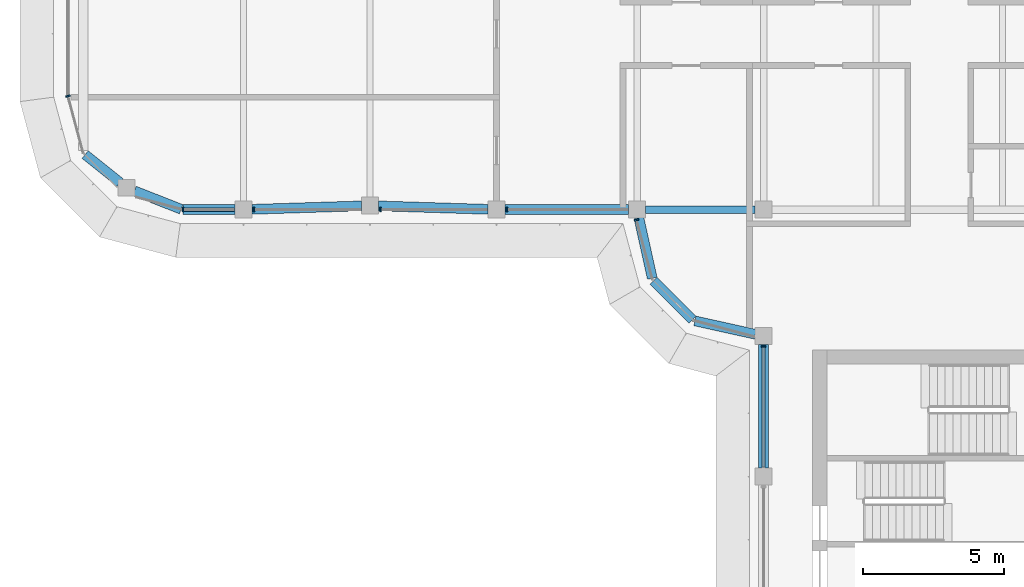
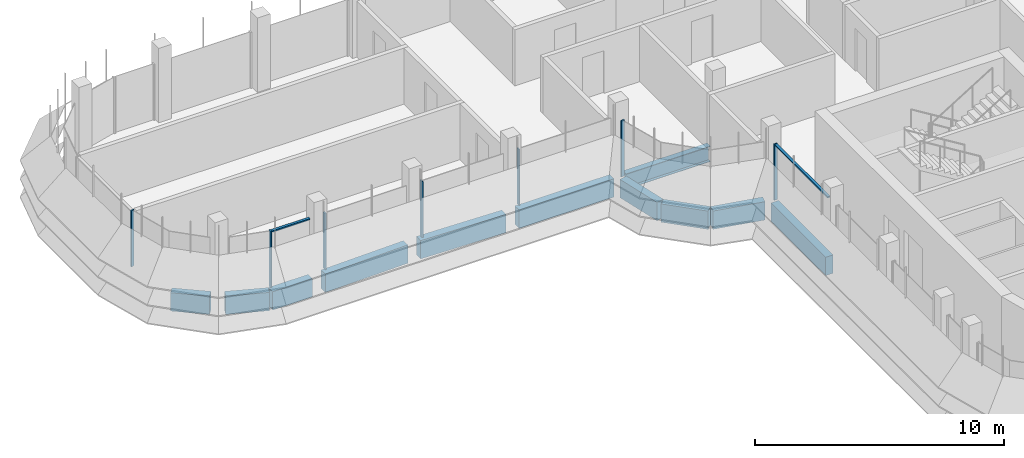
# One storey, part 3 of 19: 11 beams, 9 members, 4 elements without a shape of their own.
"""IFC4 building model written with IfcOpenShell, lengths in metres."""

from ifc_helpers import new_model, si_unit, direction, frame, origin, origin_2d, place, context, subcontext, project, spatial, polyline, rectangle, i_section, outline, extrude, source, transform, mapped, material, material_profile, profile_set, type_object, element, aggregate, save


model = new_model("IFC4")

# Units and contexts
model_context = context("Model", 3, precision=1e-05, world=origin(), true_north=direction((0.0, 1.0)))
body_context = subcontext(model_context, "Body", "Model", "MODEL_VIEW")
ifc_project = project(units=[si_unit("LENGTHUNIT", "METRE"), si_unit("AREAUNIT", "SQUARE_METRE"), si_unit("VOLUMEUNIT", "CUBIC_METRE"), si_unit("PLANEANGLEUNIT", "RADIAN"), si_unit("MASSUNIT", "GRAM", prefix="KILO")], contexts=[model_context])

# Site, building, storey
site_placement = place(None, origin())
site = spatial("IfcSite", under=ifc_project, at=site_placement, CompositionType="ELEMENT")
building_placement = place(site_placement, origin())
building = spatial("IfcBuilding", under=site, at=building_placement, Name="Zarbagh Exchange Tower", CompositionType="ELEMENT")
storey_placement = place(building_placement, frame((0.0, 0.0, 268.800048828125)))
storey = spatial("IfcBuildingStorey", under=building, at=storey_placement, Name="L66", CompositionType="ELEMENT", Elevation=268.800048828125)

# Beams
ifc_material_1 = material(Name="Steel ASTM A992 Gr 50", Category="steel")
ifc_material_profile_1 = material_profile(ifc_material_1, i_section(OverallWidth=0.2666015625, OverallDepth=0.7568359375, WebThickness=0.013916015625, FlangeThickness=0.019287109375, at=origin_2d()), Name="W30X108")
ifc_profile_set_1 = profile_set([ifc_material_profile_1], Name="Steel ASTM A992 Gr 50")
beam_type_1 = type_object("IfcBeamType", Name="Floor girder W30X108", PredefinedType="BEAM", material=ifc_profile_set_1)
beam_1_placement = place(storey_placement, frame((-10.449951171875, -6.25, -0.528564453125), z_axis=(1.0, 0.0, 0.0), x_axis=(0.0, 1.0, 0.0)))
element("IfcBeam", 1, at=beam_1_placement, inside=storey, type_object=beam_type_1, Name="Steel girder", PredefinedType="BEAM", context=body_context, shape_type="SweptSolid", body=[
    extrude(i_section(OverallWidth=0.2666015625, OverallDepth=0.7568359375, WebThickness=0.013916015625, FlangeThickness=0.019287109375, at=origin_2d()), origin(), (0.0, 0.0, 1.0), 3.89990234375),
])
ifc_material_2 = material(Name="Concrete C40/50", Category="concrete")
ifc_material_profile_2 = material_profile(ifc_material_2, rectangle(XDim=0.35009765625, YDim=0.89990234375, at=origin_2d()), Name="RC spandrel beam 350 x 900 C40/50")
ifc_profile_set_2 = profile_set([ifc_material_profile_2], Name="Concrete C40/50")
beam_type_2 = type_object("IfcBeamType", Name="RC spandrel beam 350 x 900 C40/50", PredefinedType="SPANDREL", material=ifc_profile_set_2)
beam_2_placement = place(storey_placement, frame((-6.25, -15.449951171875, -0.60009765625), z_axis=(0.0, 1.0, 0.0), x_axis=(-1.0, 0.0, 0.0)))
element("IfcBeam", 2, at=beam_2_placement, inside=storey, type_object=beam_type_2, Name="RC spandrel beam", PredefinedType="SPANDREL", context=body_context, shape_type="SweptSolid", body=[
    extrude(rectangle(XDim=0.35009765625, YDim=0.89990234375, at=origin_2d()), origin(), (0.0, 0.0, 1.0), 4.39990234375),
])
beam_3_placement = place(storey_placement, frame((-6.54296875, -10.685302734375, -0.60009765625), z_axis=(-0.976387662047, 0.216025770228, 0.0), x_axis=(-0.216025770228, -0.976387662047, 0.0)))
element("IfcBeam", 3, at=beam_3_placement, inside=storey, type_object=beam_type_2, Name="RC spandrel beam", PredefinedType="SPANDREL", context=body_context, shape_type="SweptSolid", body=[
    extrude(rectangle(XDim=0.35009765625, YDim=0.89990234375, at=origin_2d()), origin(), (0.0, 0.0, 1.0), 2.200439453125),
])
beam_4_placement = place(storey_placement, frame((-8.77734375, -10.16259765625, -0.60009765625), z_axis=(-0.707106781187, 0.707106781187, 0.0), x_axis=(-0.707106781187, -0.707106781187, 0.0)))
element("IfcBeam", 4, at=beam_4_placement, inside=storey, type_object=beam_type_2, Name="RC spandrel beam", PredefinedType="SPANDREL", context=body_context, shape_type="SweptSolid", body=[
    extrude(rectangle(XDim=0.35009765625, YDim=0.89990234375, at=origin_2d()), origin(), (0.0, 0.0, 1.0), 1.958984375),
])
beam_5_placement = place(storey_placement, frame((-10.2099609375, -8.69140625, -0.60009765625), z_axis=(-0.216025770228, 0.976387662047, 0.0), x_axis=(-0.976387662047, -0.216025770228, 0.0)))
element("IfcBeam", 5, at=beam_5_placement, inside=storey, type_object=beam_type_2, Name="RC spandrel beam", PredefinedType="SPANDREL", context=body_context, shape_type="SweptSolid", body=[
    extrude(rectangle(XDim=0.35009765625, YDim=0.89990234375, at=origin_2d()), origin(), (0.0, 0.0, 1.0), 2.200439453125),
])
beam_6_placement = place(storey_placement, frame((-11.050048828125, -6.25, -0.60009765625), z_axis=(-1.0, 0.0, 0.0), x_axis=(0.0, -1.0, 0.0)))
element("IfcBeam", 6, at=beam_6_placement, inside=storey, type_object=beam_type_2, Name="RC spandrel beam", PredefinedType="SPANDREL", context=body_context, shape_type="SweptSolid", body=[
    extrude(rectangle(XDim=0.35009765625, YDim=0.89990234375, at=origin_2d()), origin(), (0.0, 0.0, 1.0), 4.39990234375),
])
for number, where, z_axis, x_axis, name in (
    (7, (-16.0498046875, -6.24072265625, -0.60009765625), (-0.999516460907, 0.031094121249, 0.0), (-0.031094121249, -0.999516460907, 0.0), "RC spandrel beam"),
    (8, (-20.5498046875, -6.119384765625, -0.60009765625), (-0.999516460907, -0.031094121249, 0.0), (0.031094121249, -0.999516460907, 0.0), "RC spandrel beam"),
):
    element("IfcBeam", number, at=place(storey_placement, frame(where, z_axis=z_axis, x_axis=x_axis)), inside=storey, type_object=beam_type_2, Name=name, PredefinedType="SPANDREL", context=body_context, shape_type="SweptSolid", body=[
        extrude(rectangle(XDim=0.35009765625, YDim=0.89990234375, at=origin_2d()), origin(), (0.0, 0.0, 1.0), 3.90234375),
    ])
beam_7_placement = place(storey_placement, frame((-25.050048828125, -6.25, -0.60009765625), z_axis=(-1.0, 0.0, 0.0), x_axis=(0.0, -1.0, 0.0)))
element("IfcBeam", 9, at=beam_7_placement, inside=storey, type_object=beam_type_2, Name="RC spandrel beam", PredefinedType="SPANDREL", context=body_context, shape_type="SweptSolid", body=[
    extrude(rectangle(XDim=0.35009765625, YDim=0.89990234375, at=origin_2d()), origin(), (0.0, 0.0, 1.0), 1.850830078125),
])
beam_8_placement = place(storey_placement, frame((-26.965087890625, -6.23779296875, -0.60009765625), z_axis=(-0.930859366381, 0.365377667655, 0.0), x_axis=(-0.365377667655, -0.930859366381, 0.0)))
element("IfcBeam", 10, at=beam_8_placement, inside=storey, type_object=beam_type_2, Name="RC spandrel beam", PredefinedType="SPANDREL", context=body_context, shape_type="SweptSolid", body=[
    extrude(rectangle(XDim=0.35009765625, YDim=0.89990234375, at=origin_2d()), origin(), (0.0, 0.0, 1.0), 1.787353515625),
])
beam_9_placement = place(storey_placement, frame((-29.14208984375, -5.28759765625, -0.60009765625), z_axis=(-0.780584122498, 0.625050740104, 0.0), x_axis=(-0.625050740104, -0.780584122498, 0.0)))
element("IfcBeam", 11, at=beam_9_placement, inside=storey, type_object=beam_type_2, Name="RC spandrel beam", PredefinedType="SPANDREL", context=body_context, shape_type="SweptSolid", body=[
    extrude(rectangle(XDim=0.35009765625, YDim=0.89990234375, at=origin_2d()), origin(), (0.0, 0.0, 1.0), 1.590087890625),
])

# Curtain wall, member
ifc_material_3 = material(Name="Anodised aluminium frame and glazing", Category="aluminium")
curtain_wall_type = type_object("IfcCurtainWallType", Name="CWB Ribbon glazing, upper zones", PredefinedType="NOTDEFINED", material=ifc_material_3)
curtain_wall_1_placement = place(storey_placement, origin())
curtain_wall_1 = element("IfcCurtainWall", 12, at=curtain_wall_1_placement, inside=storey, type_object=curtain_wall_type, Name="CWB62 curtain wall", PredefinedType="NOTDEFINED")
ifc_material_4 = material(Name="Anodised aluminium frame", Category="aluminium")
member_type_1 = type_object("IfcMemberType", Name="MUB Mullion, anodised aluminium frame", PredefinedType="MULLION", material=ifc_material_4)
shared_shape_1 = source(origin(), body_context, "Body", "SweptSolid", [
    extrude(outline(polyline([(0.0, -0.080078125), (0.06005859375, -0.080078125), (0.06005859375, 0.080078125), (0.0, 0.080078125), (0.0, -0.080078125)])), origin(), (0.0, 0.0, 1.0), 2.75),
])
placement = place(storey_placement, origin())
member_1 = element("IfcMember", 13, at=placement, type_object=member_type_1, Name="CWB62 mullion 1.1", PredefinedType="MULLION", context=body_context, shape_type="MappedRepresentation", body=[
    mapped(shared_shape_1, transform((-31.0, -2.18408203125, 0.0), x_axis=(0.258824779902, -0.965924289636, 0.0), y_axis=(0.965924289636, 0.258824779902, 0.0), z_axis=(0.0, 0.0, 1.0))),
])
aggregate(curtain_wall_1, [member_1])

# Curtain wall, members
curtain_wall_2_placement = place(storey_placement, origin())
curtain_wall_2 = element("IfcCurtainWall", 14, at=curtain_wall_2_placement, inside=storey, type_object=curtain_wall_type, Name="CWB65 curtain wall", PredefinedType="NOTDEFINED")
member_2 = element("IfcMember", 15, at=placement, type_object=member_type_1, Name="CWB65 mullion 1.1", PredefinedType="MULLION", context=body_context, shape_type="MappedRepresentation", body=[
    mapped(shared_shape_1, transform((-26.93408203125, -6.25, 0.0), x_axis=(1.0, 0.0, 0.0), y_axis=(0.0, 1.0, 0.0), z_axis=(0.0, 0.0, 1.0))),
])
member_3 = element("IfcMember", 16, at=placement, type_object=member_type_1, Name="CWB65 mullion 2.1", PredefinedType="MULLION", context=body_context, shape_type="MappedRepresentation", body=[
    mapped(shared_shape_1, transform((-24.409912109375, -6.25, 0.0), x_axis=(1.0, 0.0, 0.0), y_axis=(0.0, 1.0, 0.0), z_axis=(0.0, 0.0, 1.0))),
])
member_4 = element("IfcMember", 17, at=placement, type_object=member_type_1, Name="CWB65 mullion 3.1", PredefinedType="MULLION", context=body_context, shape_type="MappedRepresentation", body=[
    mapped(shared_shape_1, transform((-19.909912109375, -6.25, 0.0), x_axis=(1.0, 0.0, 0.0), y_axis=(0.0, 1.0, 0.0), z_axis=(0.0, 0.0, 1.0))),
])
member_5 = element("IfcMember", 18, at=placement, type_object=member_type_1, Name="CWB65 mullion 4.1", PredefinedType="MULLION", context=body_context, shape_type="MappedRepresentation", body=[
    mapped(shared_shape_1, transform((-15.409912109375, -6.25, 0.0), x_axis=(1.0, 0.0, 0.0), y_axis=(0.0, 1.0, 0.0), z_axis=(0.0, 0.0, 1.0))),
])

# Curtain wall, member
curtain_wall_3_placement = place(storey_placement, origin())
curtain_wall_3 = element("IfcCurtainWall", 19, at=curtain_wall_3_placement, inside=storey, type_object=curtain_wall_type, Name="CWB41 curtain wall", PredefinedType="NOTDEFINED")
member_6 = element("IfcMember", 20, at=placement, type_object=member_type_1, Name="CWB41 mullion 1.1", PredefinedType="MULLION", context=body_context, shape_type="MappedRepresentation", body=[
    mapped(shared_shape_1, transform((-10.775146484375, -6.590087890625, 0.0), x_axis=(0.258824779902, -0.965924289636, 0.0), y_axis=(0.965924289636, 0.258824779902, 0.0), z_axis=(0.0, 0.0, 1.0))),
])
aggregate(curtain_wall_3, [member_6])

curtain_wall_4_placement = place(storey_placement, origin())
curtain_wall_4 = element("IfcCurtainWall", 21, at=curtain_wall_4_placement, inside=storey, type_object=curtain_wall_type, Name="CWB53 curtain wall", PredefinedType="NOTDEFINED")
member_7 = element("IfcMember", 22, at=placement, type_object=member_type_1, Name="CWB53 mullion 1.1", PredefinedType="MULLION", context=body_context, shape_type="MappedRepresentation", body=[
    mapped(shared_shape_1, transform((-6.25, -11.090087890625, 0.0), x_axis=(0.0, -1.0, 0.0), y_axis=(1.0, 0.0, 0.0), z_axis=(0.0, 0.0, 1.0))),
])

# Member
member_type_2 = type_object("IfcMemberType", Name="TRB Transom, anodised aluminium frame", PredefinedType="USERDEFINED", material=ifc_material_4)
shared_shape_2 = source(origin(), body_context, "Body", "SweptSolid", [
    extrude(outline(polyline([(-0.06005859375, -0.06005859375), (0.0, -0.06005859375), (0.0, 0.06005859375), (-0.06005859375, 0.06005859375), (-0.06005859375, -0.06005859375)])), origin(), (0.0, 0.0, 1.0), 1.7841796875),
])
member_8 = element("IfcMember", 23, at=placement, type_object=member_type_2, Name="CWB65 transom 1.1", ObjectType="TRANSOM", PredefinedType="USERDEFINED", context=body_context, shape_type="MappedRepresentation", body=[
    mapped(shared_shape_2, transform((-26.874267578125, -6.25, 2.75), x_axis=(0.0, 0.0, 1.0), y_axis=(0.0, -1.0, 0.0), z_axis=(1.0, 0.0, 0.0))),
])

aggregate(curtain_wall_2, [member_2, member_8, member_3, member_4, member_5])

shared_shape_3 = source(origin(), body_context, "Body", "SweptSolid", [
    extrude(outline(polyline([(-0.06005859375, -0.06005859375), (0.0, -0.06005859375), (0.0, 0.06005859375), (-0.06005859375, 0.06005859375), (-0.06005859375, -0.06005859375)])), origin(), (0.0, 0.0, 1.0), 4.260009765625),
])
member_9 = element("IfcMember", 24, at=placement, type_object=member_type_2, Name="CWB53 transom 1.1", ObjectType="TRANSOM", PredefinedType="USERDEFINED", context=body_context, shape_type="MappedRepresentation", body=[
    mapped(shared_shape_3, transform((-6.25, -11.150146484375, 2.75), x_axis=(0.0, 0.0, 1.0), y_axis=(-1.0, 0.0, 0.0), z_axis=(0.0, -1.0, 0.0))),
])

aggregate(curtain_wall_4, [member_7, member_9])

save(model, "model.ifc")
